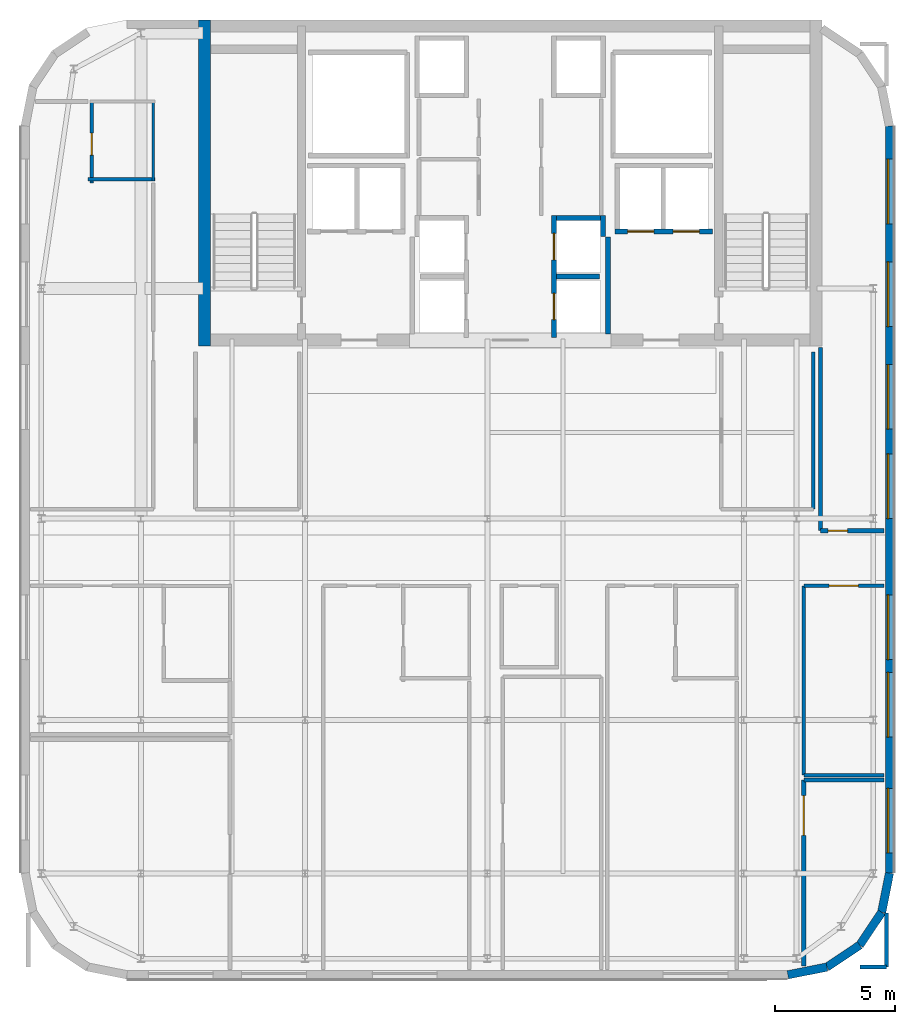
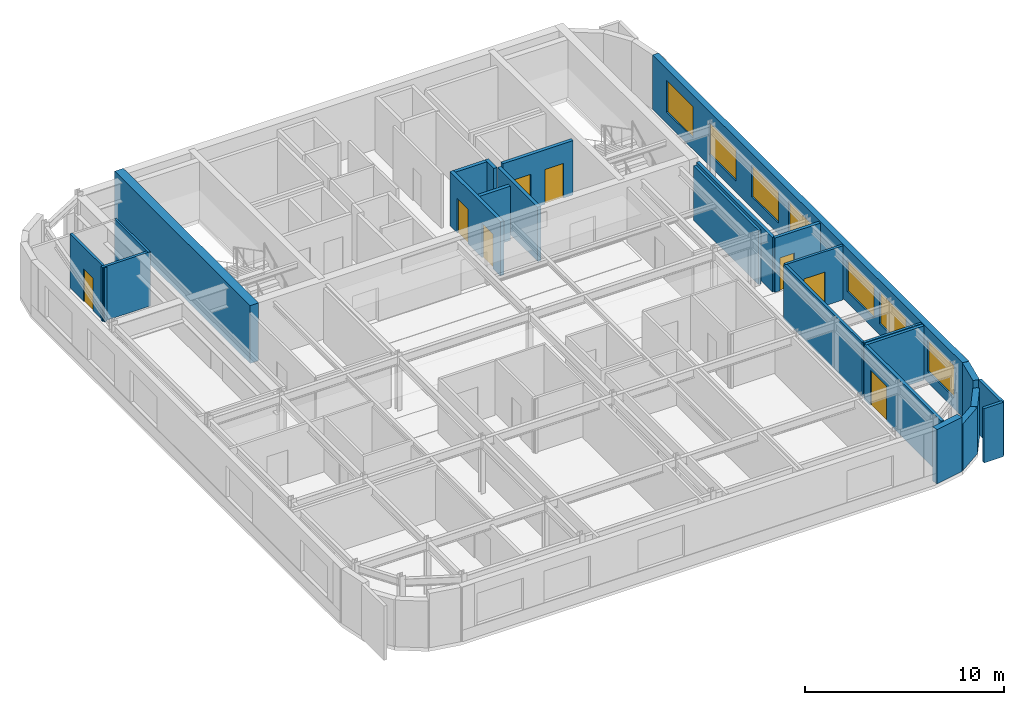
# One storey, part 8 of 15: 25 walls, 8 doors, 7 windows, 15 openings.
"""IFC4 building model written with IfcOpenShell, lengths in metres."""

from ifc_helpers import new_model, si_unit, direction, frame, frame_2d, origin, place, context, subcontext, project, spatial, rectangle, extrude, source, transform, mapped, material, layer, layer_set, type_object, type_shapes, element, fill, save


model = new_model("IFC4")

# Units and contexts
model_context = context("Model", 3, precision=1e-05, world=origin(), true_north=direction((0.0, 1.0)))
body_context = subcontext(model_context, "Body", "Model", "MODEL_VIEW")
ifc_project = project(units=[si_unit("LENGTHUNIT", "METRE"), si_unit("AREAUNIT", "SQUARE_METRE"), si_unit("VOLUMEUNIT", "CUBIC_METRE"), si_unit("PLANEANGLEUNIT", "RADIAN"), si_unit("MASSUNIT", "GRAM", prefix="KILO")], contexts=[model_context])

# Site, building, storey
site_placement = place(None, origin())
site = spatial("IfcSite", under=ifc_project, at=site_placement, CompositionType="ELEMENT")
building_placement = place(site_placement, origin())
building = spatial("IfcBuilding", under=site, at=building_placement, Name="Tolvann Quenvar Hotel", CompositionType="ELEMENT")
storey_placement = place(building_placement, frame((0.0, 0.0, 278.60009765625)))
storey = spatial("IfcBuildingStorey", under=building, at=storey_placement, Name="L74", CompositionType="ELEMENT", Elevation=278.60009765625)

# Walls
ifc_material_1 = material(Name="Concrete N50 (50 MPa)", Category="concrete")
ifc_layer_1 = layer(ifc_material_1, 0.5)
ifc_layer_set_1 = layer_set([ifc_layer_1], Name="Concrete N50 (50 MPa)")
wall_type_1 = type_object("IfcWallType", Name="WALL_CORE_500", PredefinedType="SHEAR", material=ifc_layer_set_1)
wall_1_placement = place(storey_placement, frame((10.25, 31.60009765625, 0.0), z_axis=(0.0, 0.0, 1.0), x_axis=(0.0, 1.0, 0.0)))
element("IfcWall", 1, at=wall_1_placement, inside=storey, type_object=wall_type_1, Name="Rear Core W Shear Wall (L74)", PredefinedType="SHEAR", context=body_context, shape_type="SweptSolid", body=[
    extrude(rectangle(XDim=13.599853515625, YDim=0.5, at=frame_2d((6.7998046875, 0.0))), origin(), (0.0, 0.0, 1.0), 3.5498046875),
])
ifc_material_2 = material(Name="Kiln-fired red and buff architectural clay brickwork and terracotta masonry", Category="masonry")
ifc_layer_2 = layer(ifc_material_2, 0.35009765625)
ifc_layer_set_2 = layer_set([ifc_layer_2], Name="Kiln-fired red and buff architectural clay brickwork and terracotta masonry")
wall_type_2 = type_object("IfcWallType", Name="WALL_EXT_BRICK_350", PredefinedType="SOLIDWALL", material=ifc_layer_set_2)
wall_2_placement = place(storey_placement, frame((34.582763671875, 5.375, 0.0), z_axis=(0.0, 0.0, 1.0), x_axis=(0.980794424524, 0.195044345786, 0.0)))
element("IfcWall", 2, at=wall_2_placement, inside=storey, type_object=wall_type_2, Name="Exterior Chicago Brick Wall L74-E05", PredefinedType="SOLIDWALL", context=body_context, shape_type="SweptSolid", body=[
    extrude(rectangle(XDim=1.664794921875, YDim=0.35009765625, at=frame_2d((0.83251953125, 0.0))), origin(), (0.0, 0.0, 1.0), 3.329833984375),
])
for number, where, z_axis, x_axis, name in (
    (3, (36.215576171875, 5.69970703125, 0.0), (0.0, 0.0, 1.0), (0.831434158098, 0.555623290322, 0.0), "Exterior Chicago Brick Wall L74-E06"),
    (4, (37.585205078125, 6.614990234375, 0.0), (0.0, 0.0, 1.0), (0.555520825599, 0.831502623162, 0.0), "Exterior Chicago Brick Wall L74-E07"),
):
    element("IfcWall", number, at=place(storey_placement, frame(where, z_axis=z_axis, x_axis=x_axis)), inside=storey, type_object=wall_type_2, Name=name, PredefinedType="SOLIDWALL", context=body_context, shape_type="SweptSolid", body=[
        extrude(rectangle(XDim=1.647216796875, YDim=0.35009765625, at=frame_2d((0.82373046875, 0.0))), origin(), (0.0, 0.0, 1.0), 2.85986328125),
    ])
wall_3_placement = place(storey_placement, frame((38.500244140625, 7.984619140625, 0.0), z_axis=(0.0, 0.0, 1.0), x_axis=(0.195072403631, 0.980788844421, 0.0)))
element("IfcWall", 5, at=wall_3_placement, inside=storey, type_object=wall_type_2, Name="Exterior Chicago Brick Wall L74-E08", PredefinedType="SOLIDWALL", context=body_context, shape_type="SweptSolid", body=[
    extrude(rectangle(XDim=1.66455078125, YDim=0.35009765625, at=frame_2d((0.832275390625, 0.0))), origin(), (0.0, 0.0, 1.0), 3.329833984375),
])

# Wall, openings, windows
wall_4_placement = place(storey_placement, frame((38.824951171875, 9.6171875, 0.0), z_axis=(0.0, 0.0, 1.0), x_axis=(0.0, 1.0, 0.0)))
wall_4 = element("IfcWall", 6, at=wall_4_placement, inside=storey, type_object=wall_type_2, Name="Exterior Chicago Brick Wall L74-E09", PredefinedType="SOLIDWALL", context=body_context, shape_type="SweptSolid", body=[
    extrude(rectangle(XDim=31.16552734375, YDim=0.35009765625, at=frame_2d((15.582763671875, 0.0))), origin(), (0.0, 0.0, 1.0), 3.329833984375),
])
opening_1_placement = place(wall_4_placement, frame((0.840087890625, 0.0, 0.679931640625)))
opening_1 = element("IfcOpeningElement", 7, at=opening_1_placement, cuts=wall_4, Name="Opening W-04", PredefinedType="OPENING", context=body_context, shape_type="SweptSolid", body=[
    extrude(rectangle(XDim=2.699951171875, YDim=1.949951171875, at=frame_2d((1.35009765625, 0.97509765625))), frame((0.0, 0.18505859375, 0.0), z_axis=(0.0, -1.0, 0.0), x_axis=(1.0, 0.0, 0.0)), (0.0, 0.0, 1.0), 0.3701171875),
])
opening_2_placement = place(wall_4_placement, frame((5.6708984375, 0.0, 0.679931640625)))
opening_2 = element("IfcOpeningElement", 8, at=opening_2_placement, cuts=wall_4, Name="Opening W-04", PredefinedType="OPENING", context=body_context, shape_type="SweptSolid", body=[
    extrude(rectangle(XDim=2.699951171875, YDim=1.949951171875, at=frame_2d((1.35009765625, 0.97509765625))), frame((0.0, 0.18505859375, 0.0), z_axis=(0.0, -1.0, 0.0), x_axis=(1.0, 0.0, 0.0)), (0.0, 0.0, 1.0), 0.3701171875),
])
opening_3_placement = place(wall_4_placement, frame((8.902099609375, 0.0, 0.679931640625)))
opening_3 = element("IfcOpeningElement", 9, at=opening_3_placement, cuts=wall_4, Name="Opening W-04", PredefinedType="OPENING", context=body_context, shape_type="SweptSolid", body=[
    extrude(rectangle(XDim=2.699951171875, YDim=1.949951171875, at=frame_2d((1.35009765625, 0.97509765625))), frame((0.0, 0.18505859375, 0.0), z_axis=(0.0, -1.0, 0.0), x_axis=(1.0, 0.0, 0.0)), (0.0, 0.0, 1.0), 0.3701171875),
])
opening_4_placement = place(wall_4_placement, frame((14.782958984375, 0.0, 0.679931640625)))
opening_4 = element("IfcOpeningElement", 10, at=opening_4_placement, cuts=wall_4, Name="Opening W-04", PredefinedType="OPENING", context=body_context, shape_type="SweptSolid", body=[
    extrude(rectangle(XDim=2.699951171875, YDim=1.949951171875, at=frame_2d((1.35009765625, 0.97509765625))), frame((0.0, 0.18505859375, 0.0), z_axis=(0.0, -1.0, 0.0), x_axis=(1.0, 0.0, 0.0)), (0.0, 0.0, 1.0), 0.3701171875),
])
opening_5_placement = place(wall_4_placement, frame((18.513916015625, 0.0, 0.679931640625)))
opening_5 = element("IfcOpeningElement", 11, at=opening_5_placement, cuts=wall_4, Name="Opening W-04", PredefinedType="OPENING", context=body_context, shape_type="SweptSolid", body=[
    extrude(rectangle(XDim=2.699951171875, YDim=1.949951171875, at=frame_2d((1.35009765625, 0.97509765625))), frame((0.0, 0.18505859375, 0.0), z_axis=(0.0, -1.0, 0.0), x_axis=(1.0, 0.0, 0.0)), (0.0, 0.0, 1.0), 0.3701171875),
])
opening_6_placement = place(wall_4_placement, frame((22.7939453125, 0.0, 0.679931640625)))
opening_6 = element("IfcOpeningElement", 12, at=opening_6_placement, cuts=wall_4, Name="Opening W-04", PredefinedType="OPENING", context=body_context, shape_type="SweptSolid", body=[
    extrude(rectangle(XDim=2.699951171875, YDim=1.949951171875, at=frame_2d((1.35009765625, 0.97509765625))), frame((0.0, 0.18505859375, 0.0), z_axis=(0.0, -1.0, 0.0), x_axis=(1.0, 0.0, 0.0)), (0.0, 0.0, 1.0), 0.3701171875),
])
opening_7_placement = place(wall_4_placement, frame((27.074951171875, 0.0, 0.679931640625)))
opening_7 = element("IfcOpeningElement", 13, at=opening_7_placement, cuts=wall_4, Name="Opening W-04", PredefinedType="OPENING", context=body_context, shape_type="SweptSolid", body=[
    extrude(rectangle(XDim=2.699951171875, YDim=1.949951171875, at=frame_2d((1.35009765625, 0.97509765625))), frame((0.0, 0.18505859375, 0.0), z_axis=(0.0, -1.0, 0.0), x_axis=(1.0, 0.0, 0.0)), (0.0, 0.0, 1.0), 0.3701171875),
])
ifc_material_3 = material(Name="Thermally broken bronze-anodised aluminium frame with double low-E glazing", Category="aluminium")
window_type = type_object("IfcWindowType", Name="WIN_STE_2700x2150", PartitioningType="TRIPLE_PANEL_HORIZONTAL", PredefinedType="WINDOW", material=ifc_material_3)
shared_shape_1 = source(origin(), body_context, "Body", "SweptSolid", [
    extrude(rectangle(XDim=2.699951171875, YDim=1.949951171875, at=frame_2d((1.35009765625, 0.97509765625))), frame((0.0, 0.090087890625, 0.0), z_axis=(0.0, -1.0, 0.0), x_axis=(1.0, 0.0, 0.0)), (0.0, 0.0, 1.0), 0.06005859375),
])
type_shapes(window_type, [shared_shape_1])
window_1_placement = place(opening_1_placement, origin())
window_1 = element("IfcWindow", 14, at=window_1_placement, inside=storey, type_object=window_type, Name="Chicago Window W-04 (EW-L74-E09-W01)", OverallHeight=1.949951171875, OverallWidth=2.699951171875, PartitioningType="TRIPLE_PANEL_HORIZONTAL", PredefinedType="WINDOW", context=body_context, shape_type="MappedRepresentation", body=[
    mapped(shared_shape_1, transform((0.0, 0.0, 0.0), x_axis=(1.0, 0.0, 0.0), y_axis=(0.0, 1.0, 0.0), z_axis=(0.0, 0.0, 1.0), scale=1.0)),
])
fill(opening_1, window_1)
window_2_placement = place(opening_2_placement, origin())
window_2 = element("IfcWindow", 15, at=window_2_placement, inside=storey, type_object=window_type, Name="Chicago Window W-04 (EW-L74-E09-W02)", OverallHeight=1.949951171875, OverallWidth=2.699951171875, PartitioningType="TRIPLE_PANEL_HORIZONTAL", PredefinedType="WINDOW", context=body_context, shape_type="MappedRepresentation", body=[
    mapped(shared_shape_1, transform((0.0, 0.0, 0.0), x_axis=(1.0, 0.0, 0.0), y_axis=(0.0, 1.0, 0.0), z_axis=(0.0, 0.0, 1.0), scale=1.0)),
])
fill(opening_2, window_2)
window_3_placement = place(opening_3_placement, origin())
window_3 = element("IfcWindow", 16, at=window_3_placement, inside=storey, type_object=window_type, Name="Chicago Window W-04 (EW-L74-E09-W03)", OverallHeight=1.949951171875, OverallWidth=2.699951171875, PartitioningType="TRIPLE_PANEL_HORIZONTAL", PredefinedType="WINDOW", context=body_context, shape_type="MappedRepresentation", body=[
    mapped(shared_shape_1, transform((0.0, 0.0, 0.0), x_axis=(1.0, 0.0, 0.0), y_axis=(0.0, 1.0, 0.0), z_axis=(0.0, 0.0, 1.0), scale=1.0)),
])
fill(opening_3, window_3)
window_4_placement = place(opening_4_placement, origin())
window_4 = element("IfcWindow", 17, at=window_4_placement, inside=storey, type_object=window_type, Name="Chicago Window W-04 (EW-L74-E09-W04)", OverallHeight=1.949951171875, OverallWidth=2.699951171875, PartitioningType="TRIPLE_PANEL_HORIZONTAL", PredefinedType="WINDOW", context=body_context, shape_type="MappedRepresentation", body=[
    mapped(shared_shape_1, transform((0.0, 0.0, 0.0), x_axis=(1.0, 0.0, 0.0), y_axis=(0.0, 1.0, 0.0), z_axis=(0.0, 0.0, 1.0), scale=1.0)),
])
fill(opening_4, window_4)
window_5_placement = place(opening_5_placement, origin())
window_5 = element("IfcWindow", 18, at=window_5_placement, inside=storey, type_object=window_type, Name="Chicago Window W-04 (EW-L74-E09-W05)", OverallHeight=1.949951171875, OverallWidth=2.699951171875, PartitioningType="TRIPLE_PANEL_HORIZONTAL", PredefinedType="WINDOW", context=body_context, shape_type="MappedRepresentation", body=[
    mapped(shared_shape_1, transform((0.0, 0.0, 0.0), x_axis=(1.0, 0.0, 0.0), y_axis=(0.0, 1.0, 0.0), z_axis=(0.0, 0.0, 1.0), scale=1.0)),
])
fill(opening_5, window_5)
window_6_placement = place(opening_6_placement, origin())
window_6 = element("IfcWindow", 19, at=window_6_placement, inside=storey, type_object=window_type, Name="Chicago Window W-04 (EW-L74-E09-W06)", OverallHeight=1.949951171875, OverallWidth=2.699951171875, PartitioningType="TRIPLE_PANEL_HORIZONTAL", PredefinedType="WINDOW", context=body_context, shape_type="MappedRepresentation", body=[
    mapped(shared_shape_1, transform((0.0, 0.0, 0.0), x_axis=(1.0, 0.0, 0.0), y_axis=(0.0, 1.0, 0.0), z_axis=(0.0, 0.0, 1.0), scale=1.0)),
])
fill(opening_6, window_6)
window_7_placement = place(opening_7_placement, origin())
window_7 = element("IfcWindow", 20, at=window_7_placement, inside=storey, type_object=window_type, Name="Chicago Window W-04 (EW-L74-E09-W07)", OverallHeight=1.949951171875, OverallWidth=2.699951171875, PartitioningType="TRIPLE_PANEL_HORIZONTAL", PredefinedType="WINDOW", context=body_context, shape_type="MappedRepresentation", body=[
    mapped(shared_shape_1, transform((0.0, 0.0, 0.0), x_axis=(1.0, 0.0, 0.0), y_axis=(0.0, 1.0, 0.0), z_axis=(0.0, 0.0, 1.0), scale=1.0)),
])
fill(opening_7, window_7)

# Walls
ifc_material_4 = material(Name="Acoustic twin-stud fire-rated gypsum plasterboard partition")
ifc_layer_3 = layer(ifc_material_4, 0.179931640625)
ifc_layer_set_3 = layer_set([ifc_layer_3], Name="Acoustic twin-stud fire-rated gypsum plasterboard partition")
wall_type_3 = type_object("IfcWallType", Name="WALL_PART_ACOUSTIC_180", PredefinedType="PARTITIONING", material=ifc_layer_set_3)
wall_5_placement = place(storey_placement, frame((37.5849609375, 5.699951171875, 0.0), z_axis=(0.0, 0.0, 1.0), x_axis=(1.0, 0.0, 0.0)))
element("IfcWall", 21, at=wall_5_placement, inside=storey, type_object=wall_type_3, Name="Interior Partition PT-SPC-L74-PSE-STD-S", PredefinedType="PARTITIONING", context=body_context, shape_type="SweptSolid", body=[
    extrude(rectangle(XDim=1.114990234375, YDim=0.179931640625, at=frame_2d((0.5576171875, 0.0))), origin(), (0.0, 0.0, 1.0), 3.329833984375),
])
wall_6_placement = place(storey_placement, frame((35.25, 13.5, 0.0), z_axis=(0.0, 0.0, 1.0), x_axis=(1.0, 0.0, 0.0)))
element("IfcWall", 22, at=wall_6_placement, inside=storey, type_object=wall_type_3, Name="Interior Partition PT-SPC-L74-PSE-STD-N", PredefinedType="PARTITIONING", context=body_context, shape_type="SweptSolid", body=[
    extrude(rectangle(XDim=3.344970703125, YDim=0.179931640625, at=frame_2d((1.67236328125, 0.0))), origin(), (0.0, 0.0, 1.0), 3.329833984375),
])

# Wall, opening, door
wall_7_placement = place(storey_placement, frame((35.25, 5.741943359375, 0.0), z_axis=(0.0, 0.0, 1.0), x_axis=(0.0, 1.0, 0.0)))
wall_7 = element("IfcWall", 23, at=wall_7_placement, inside=storey, type_object=wall_type_3, Name="Interior Partition PT-SPC-L74-PSE-STD-W", PredefinedType="PARTITIONING", context=body_context, shape_type="SweptSolid", body=[
    extrude(rectangle(XDim=7.758056640625, YDim=0.179931640625, at=frame_2d((3.87890625, 0.0))), origin(), (0.0, 0.0, 1.0), 3.329833984375),
])
opening_8_placement = place(wall_7_placement, frame((5.4541015625, 0.0, 0.0)))
opening_8 = element("IfcOpeningElement", 24, at=opening_8_placement, cuts=wall_7, Name="Opening AD-01", PredefinedType="OPENING", context=body_context, shape_type="SweptSolid", body=[
    extrude(rectangle(XDim=1.64990234375, YDim=2.14990234375, at=frame_2d((0.824951171875, 1.074951171875))), frame((0.0, 0.10009765625, 0.0), z_axis=(0.0, -1.0, 0.0), x_axis=(1.0, 0.0, 0.0)), (0.0, 0.0, 1.0), 0.199951171875),
])
ifc_material_5 = material(Name="Solid-core American oak acoustic fire door leaf in steel frame", Category="steel")
door_type_1 = type_object("IfcDoorType", Name="DOOR_SALON_1650", OperationType="NOTDEFINED", PredefinedType="DOOR", material=ifc_material_5)
shared_shape_2 = source(origin(), body_context, "Body", "SweptSolid", [
    extrude(rectangle(XDim=1.64990234375, YDim=2.14990234375, at=frame_2d((0.824951171875, 1.074951171875))), frame((0.0, 0.02490234375, 0.0), z_axis=(0.0, -1.0, 0.0), x_axis=(1.0, 0.0, 0.0)), (0.0, 0.0, 1.0), 0.050048828125),
])
type_shapes(door_type_1, [shared_shape_2])
door_1_placement = place(opening_8_placement, origin())
door_1 = element("IfcDoor", 25, at=door_1_placement, inside=storey, type_object=door_type_1, Name="Interior Door DOOR-SPC-L74-PSE-STD", OperationType="DOUBLE_DOOR_SINGLE_SWING", OverallHeight=2.14990234375, OverallWidth=1.64990234375, PredefinedType="DOOR", context=body_context, shape_type="MappedRepresentation", body=[
    mapped(shared_shape_2, transform((0.0, 0.0, 0.0), x_axis=(1.0, 0.0, 0.0), y_axis=(0.0, 1.0, 0.0), z_axis=(0.0, 0.0, 1.0), scale=1.0)),
])
fill(opening_8, door_1)

# Wall
wall_8_placement = place(storey_placement, frame((38.699951171875, 5.699951171875, 0.0), z_axis=(0.0, 0.0, 1.0), x_axis=(0.0, 1.0, 0.0)))
element("IfcWall", 26, at=wall_8_placement, inside=storey, type_object=wall_type_3, Name="Interior Partition PT-SPC-L74-PSE-STD-E", PredefinedType="PARTITIONING", context=body_context, shape_type="SweptSolid", body=[
    extrude(rectangle(XDim=2.2451171875, YDim=0.179931640625, at=frame_2d((1.12255859375, 0.0))), origin(), (0.0, 0.0, 1.0), 3.329833984375),
])

# Wall, opening, door
wall_9_placement = place(storey_placement, frame((35.949951171875, 23.89990234375, 0.0), z_axis=(0.0, 0.0, 1.0), x_axis=(1.0, 0.0, 0.0)))
wall_9 = element("IfcWall", 27, at=wall_9_placement, inside=storey, type_object=wall_type_3, Name="Interior Partition PT-SPC-L74-LNGE-S", PredefinedType="PARTITIONING", context=body_context, shape_type="SweptSolid", body=[
    extrude(rectangle(XDim=2.64501953125, YDim=0.179931640625, at=frame_2d((1.322509765625, 0.0))), origin(), (0.0, 0.0, 1.0), 3.329833984375),
])
opening_9_placement = place(wall_9_placement, frame((0.3125, 0.0, 0.0)))
opening_9 = element("IfcOpeningElement", 28, at=opening_9_placement, cuts=wall_9, Name="Opening HD-02", PredefinedType="OPENING", context=body_context, shape_type="SweptSolid", body=[
    extrude(rectangle(XDim=0.820068359375, YDim=2.010009765625, at=frame_2d((0.41015625, 1.0048828125))), frame((0.0, 0.10009765625, 0.0), z_axis=(0.0, -1.0, 0.0), x_axis=(1.0, 0.0, 0.0)), (0.0, 0.0, 1.0), 0.199951171875),
])
ifc_material_6 = material(Name="Pressed galvanised steel fire-rated door set", Category="steel")
door_type_2 = type_object("IfcDoorType", Name="DOOR_STORE_820", OperationType="NOTDEFINED", PredefinedType="DOOR", material=ifc_material_6)
shared_shape_3 = source(origin(), body_context, "Body", "SweptSolid", [
    extrude(rectangle(XDim=0.820068359375, YDim=2.010009765625, at=frame_2d((0.41015625, 1.0048828125))), frame((0.0, 0.02490234375, 0.0), z_axis=(0.0, -1.0, 0.0), x_axis=(1.0, 0.0, 0.0)), (0.0, 0.0, 1.0), 0.050048828125),
])
type_shapes(door_type_2, [shared_shape_3])
door_2_placement = place(opening_9_placement, origin())
door_2 = element("IfcDoor", 29, at=door_2_placement, inside=storey, type_object=door_type_2, Name="Interior Door DOOR-SPC-L74-LNGE", OperationType="SINGLE_SWING_RIGHT", OverallHeight=2.010009765625, OverallWidth=0.820068359375, PredefinedType="DOOR", context=body_context, shape_type="MappedRepresentation", body=[
    mapped(shared_shape_3, transform((0.0, 0.0, 0.0), x_axis=(1.0, 0.0, 0.0), y_axis=(0.0, 1.0, 0.0), z_axis=(0.0, 0.0, 1.0), scale=1.0)),
])
fill(opening_9, door_2)

# Walls
wall_10_placement = place(storey_placement, frame((35.949951171875, 23.89990234375, 0.0), z_axis=(0.0, 0.0, 1.0), x_axis=(0.0, 1.0, 0.0)))
element("IfcWall", 30, at=wall_10_placement, inside=storey, type_object=wall_type_3, Name="Interior Partition PT-SPC-L74-LNGE-W", PredefinedType="PARTITIONING", context=body_context, shape_type="SweptSolid", body=[
    extrude(rectangle(XDim=7.64501953125, YDim=0.179931640625, at=frame_2d((3.822509765625, 0.0))), origin(), (0.0, 0.0, 1.0), 3.329833984375),
])
ifc_material_7 = material(Name="Moisture-resistant acoustic plumbing wall assembly")
ifc_layer_4 = layer(ifc_material_7, 0.1201171875)
ifc_layer_set_4 = layer_set([ifc_layer_4], Name="Moisture-resistant acoustic plumbing wall assembly")
wall_type_4 = type_object("IfcWallType", Name="WALL_PART_BATH_120", PredefinedType="PLUMBINGWALL", material=ifc_layer_set_4)
wall_11_placement = place(storey_placement, frame((8.1201171875, 38.47998046875, 0.0), z_axis=(0.0, 0.0, 1.0), x_axis=(0.0, 1.0, 0.0)))
element("IfcWall", 31, at=wall_11_placement, inside=storey, type_object=wall_type_4, Name="Non-Rated Plumbing Partition PT-SPC-L74-NW-ENS-E", PredefinedType="PLUMBINGWALL", context=body_context, shape_type="SweptSolid", body=[
    extrude(rectangle(XDim=3.39013671875, YDim=0.1201171875, at=frame_2d((1.695068359375, 0.0))), origin(), (0.0, 0.0, 1.0), 3.329833984375),
])

# Wall, opening, door
ifc_layer_5 = layer(ifc_material_4, 0.14990234375)
ifc_layer_set_5 = layer_set([ifc_layer_5], Name="Acoustic twin-stud fire-rated gypsum plasterboard partition")
wall_type_5 = type_object("IfcWallType", Name="WALL_PART_SUITE_150", PredefinedType="PARTITIONING", material=ifc_layer_set_5)
wall_12_placement = place(storey_placement, frame((5.550048828125, 38.39990234375, 0.0), z_axis=(0.0, 0.0, 1.0), x_axis=(0.0, 1.0, 0.0)))
wall_12 = element("IfcWall", 32, at=wall_12_placement, inside=storey, type_object=wall_type_5, Name="Interior Partition PT-SPC-L74-NW-ENS-ENT", PredefinedType="PARTITIONING", context=body_context, shape_type="SweptSolid", body=[
    extrude(rectangle(XDim=3.47021484375, YDim=0.14990234375, at=frame_2d((1.735107421875, 0.0))), origin(), (0.0, 0.0, 1.0), 3.329833984375),
])
opening_10_placement = place(wall_12_placement, frame((1.1650390625, 0.0, 0.0)))
opening_10 = element("IfcOpeningElement", 33, at=opening_10_placement, cuts=wall_12, Name="Opening WD-01", PredefinedType="OPENING", context=body_context, shape_type="SweptSolid", body=[
    extrude(rectangle(XDim=0.919921875, YDim=2.010009765625, at=frame_2d((0.4599609375, 1.0048828125))), frame((0.0, 0.0849609375, 0.0), z_axis=(0.0, -1.0, 0.0), x_axis=(1.0, 0.0, 0.0)), (0.0, 0.0, 1.0), 0.169921875),
])
door_type_3 = type_object("IfcDoorType", Name="DOOR_WC_920", OperationType="NOTDEFINED", PredefinedType="DOOR", material=ifc_material_5)
shared_shape_4 = source(origin(), body_context, "Body", "SweptSolid", [
    extrude(rectangle(XDim=0.919921875, YDim=2.010009765625, at=frame_2d((0.4599609375, 1.0048828125))), frame((0.0, 0.02490234375, 0.0), z_axis=(0.0, -1.0, 0.0), x_axis=(1.0, 0.0, 0.0)), (0.0, 0.0, 1.0), 0.050048828125),
])
type_shapes(door_type_3, [shared_shape_4])
door_3_placement = place(opening_10_placement, origin())
door_3 = element("IfcDoor", 34, at=door_3_placement, inside=storey, type_object=door_type_3, Name="Interior Door DOOR-SPC-L74-NW-ENS", OperationType="SINGLE_SWING_RIGHT", OverallHeight=2.010009765625, OverallWidth=0.919921875, PredefinedType="DOOR", context=body_context, shape_type="MappedRepresentation", body=[
    mapped(shared_shape_4, transform((0.0, 0.0, 0.0), x_axis=(1.0, 0.0, 0.0), y_axis=(0.0, 1.0, 0.0), z_axis=(0.0, 0.0, 1.0), scale=1.0)),
])
fill(opening_10, door_3)

# Walls
wall_13_placement = place(storey_placement, frame((5.39990234375, 38.550048828125, 0.0), z_axis=(0.0, 0.0, 1.0), x_axis=(1.0, 0.0, 0.0)))
element("IfcWall", 35, at=wall_13_placement, inside=storey, type_object=wall_type_5, Name="Interior Partition PT-SPC-L74-NW-ENS-S", PredefinedType="PARTITIONING", context=body_context, shape_type="SweptSolid", body=[
    extrude(rectangle(XDim=2.7900390625, YDim=0.14990234375, at=frame_2d((1.39501953125, 0.0))), origin(), (0.0, 0.0, 1.0), 3.329833984375),
])
wall_14_placement = place(storey_placement, frame((35.25, 13.699951171875, 0.0), z_axis=(0.0, 0.0, 1.0), x_axis=(1.0, 0.0, 0.0)))
element("IfcWall", 36, at=wall_14_placement, inside=storey, type_object=wall_type_5, Name="Interior Partition PT-SPC-L74-PSE-DRS-S", PredefinedType="PARTITIONING", context=body_context, shape_type="SweptSolid", body=[
    extrude(rectangle(XDim=3.344970703125, YDim=0.14990234375, at=frame_2d((1.67236328125, 0.0))), origin(), (0.0, 0.0, 1.0), 3.329833984375),
])

# Wall, opening, door
wall_15_placement = place(storey_placement, frame((35.25, 21.60009765625, 0.0), z_axis=(0.0, 0.0, 1.0), x_axis=(1.0, 0.0, 0.0)))
wall_15 = element("IfcWall", 37, at=wall_15_placement, inside=storey, type_object=wall_type_5, Name="Interior Partition PT-SPC-L74-PSE-DRS-N", PredefinedType="PARTITIONING", context=body_context, shape_type="SweptSolid", body=[
    extrude(rectangle(XDim=3.344970703125, YDim=0.14990234375, at=frame_2d((1.67236328125, 0.0))), origin(), (0.0, 0.0, 1.0), 3.329833984375),
])
opening_11_placement = place(wall_15_placement, frame((1.0625, 0.0, 0.0)))
opening_11 = element("IfcOpeningElement", 38, at=opening_11_placement, cuts=wall_15, Name="Opening SD-02", PredefinedType="OPENING", context=body_context, shape_type="SweptSolid", body=[
    extrude(rectangle(XDim=1.219970703125, YDim=2.080078125, at=frame_2d((0.60986328125, 1.0400390625))), frame((0.0, 0.0849609375, 0.0), z_axis=(0.0, -1.0, 0.0), x_axis=(1.0, 0.0, 0.0)), (0.0, 0.0, 1.0), 0.169921875),
])
door_type_4 = type_object("IfcDoorType", Name="DOOR_VIP_1220", OperationType="NOTDEFINED", PredefinedType="DOOR", material=ifc_material_5)
shared_shape_5 = source(origin(), body_context, "Body", "SweptSolid", [
    extrude(rectangle(XDim=1.219970703125, YDim=2.080078125, at=frame_2d((0.60986328125, 1.0400390625))), frame((0.0, 0.02490234375, 0.0), z_axis=(0.0, -1.0, 0.0), x_axis=(1.0, 0.0, 0.0)), (0.0, 0.0, 1.0), 0.050048828125),
])
type_shapes(door_type_4, [shared_shape_5])
door_4_placement = place(opening_11_placement, origin())
door_4 = element("IfcDoor", 39, at=door_4_placement, inside=storey, type_object=door_type_4, Name="Interior Door DOOR-SPC-L74-PSE-DRS", OperationType="SINGLE_SWING_LEFT", OverallHeight=2.080078125, OverallWidth=1.219970703125, PredefinedType="DOOR", context=body_context, shape_type="MappedRepresentation", body=[
    mapped(shared_shape_5, transform((0.0, 0.0, 0.0), x_axis=(1.0, 0.0, 0.0), y_axis=(0.0, 1.0, 0.0), z_axis=(0.0, 0.0, 1.0), scale=1.0)),
])
fill(opening_11, door_4)

# Walls
wall_16_placement = place(storey_placement, frame((35.25, 13.699951171875, 0.0), z_axis=(0.0, 0.0, 1.0), x_axis=(0.0, 1.0, 0.0)))
element("IfcWall", 40, at=wall_16_placement, inside=storey, type_object=wall_type_5, Name="Interior Partition PT-SPC-L74-PSE-DRS-W", PredefinedType="PARTITIONING", context=body_context, shape_type="SweptSolid", body=[
    extrude(rectangle(XDim=7.900146484375, YDim=0.14990234375, at=frame_2d((3.9501953125, 0.0))), origin(), (0.0, 0.0, 1.0), 3.329833984375),
])
wall_17_placement = place(storey_placement, frame((35.64990234375, 24.800048828125, 0.0), z_axis=(0.0, 0.0, 1.0), x_axis=(0.0, 1.0, 0.0)))
element("IfcWall", 41, at=wall_17_placement, inside=storey, type_object=wall_type_5, Name="Interior Partition PT-SPC-L74-HSK-E", PredefinedType="PARTITIONING", context=body_context, shape_type="SweptSolid", body=[
    extrude(rectangle(XDim=6.550048828125, YDim=0.14990234375, at=frame_2d((3.27490234375, 0.0))), origin(), (0.0, 0.0, 1.0), 3.329833984375),
])
ifc_material_8 = material(Name="Concrete N40 (40 MPa)", Category="concrete")
ifc_layer_6 = layer(ifc_material_8, 0.199951171875)
ifc_layer_set_6 = layer_set([ifc_layer_6], Name="Concrete N40 (40 MPa)")
wall_type_6 = type_object("IfcWallType", Name="WALL_SHAFT_200", PredefinedType="SOLIDWALL", material=ifc_layer_set_6)
wall_18_placement = place(storey_placement, frame((27.080078125, 32.10400390625, 0.0), z_axis=(0.0, 0.0, 1.0), x_axis=(0.0, 1.0, 0.0)))
element("IfcWall", 42, at=wall_18_placement, inside=storey, type_object=wall_type_6, Name="Firefighting Lobby E Inner Fire Wall (L74)", PredefinedType="SOLIDWALL", context=body_context, shape_type="SweptSolid", body=[
    extrude(rectangle(XDim=4.0458984375, YDim=0.199951171875, at=frame_2d((2.02294921875, 0.0))), origin(), (0.0, 0.0, 1.0), 3.329833984375),
])

# Wall, openings, doors
wall_19_placement = place(storey_placement, frame((27.375, 36.3798828125, 0.0), z_axis=(0.0, 0.0, 1.0), x_axis=(1.0, 0.0, 0.0)))
wall_19 = element("IfcWall", 43, at=wall_19_placement, inside=storey, type_object=wall_type_6, Name="Lift Bank SEC1 Hoistway Front Wall (L74)", PredefinedType="SOLIDWALL", context=body_context, shape_type="SweptSolid", body=[
    extrude(rectangle(XDim=4.074951171875, YDim=0.199951171875, at=frame_2d((2.03759765625, 0.0))), origin(), (0.0, 0.0, 1.0), 3.329833984375),
])
opening_12_placement = place(wall_19_placement, frame((0.52490234375, 0.0, 0.0)))
opening_12 = element("IfcOpeningElement", 44, at=opening_12_placement, cuts=wall_19, Name="Opening LD-01", PredefinedType="OPENING", context=body_context, shape_type="SweptSolid", body=[
    extrude(rectangle(XDim=1.10009765625, YDim=2.1201171875, at=frame_2d((0.550048828125, 1.06005859375))), frame((0.0, 0.10986328125, 0.0), z_axis=(0.0, -1.0, 0.0), x_axis=(1.0, 0.0, 0.0)), (0.0, 0.0, 1.0), 0.219970703125),
])
opening_13_placement = place(wall_19_placement, frame((2.425048828125, 0.0, 0.0)))
opening_13 = element("IfcOpeningElement", 45, at=opening_13_placement, cuts=wall_19, Name="Opening LD-01", PredefinedType="OPENING", context=body_context, shape_type="SweptSolid", body=[
    extrude(rectangle(XDim=1.10009765625, YDim=2.1201171875, at=frame_2d((0.550048828125, 1.06005859375))), frame((0.0, 0.10986328125, 0.0), z_axis=(0.0, -1.0, 0.0), x_axis=(1.0, 0.0, 0.0)), (0.0, 0.0, 1.0), 0.219970703125),
])
ifc_material_9 = material(Name="Brushed 316 stainless steel automatic sliding lift landing door", Category="steel")
door_type_5 = type_object("IfcDoorType", Name="DOOR_LIFT_SLIDE_1100", OperationType="NOTDEFINED", PredefinedType="DOOR", material=ifc_material_9)
shared_shape_6 = source(origin(), body_context, "Body", "SweptSolid", [
    extrude(rectangle(XDim=1.10009765625, YDim=2.1201171875, at=frame_2d((0.550048828125, 1.06005859375))), frame((0.0, 0.02490234375, 0.0), z_axis=(0.0, -1.0, 0.0), x_axis=(1.0, 0.0, 0.0)), (0.0, 0.0, 1.0), 0.050048828125),
])
type_shapes(door_type_5, [shared_shape_6])
door_5_placement = place(opening_12_placement, origin())
door_5 = element("IfcDoor", 46, at=door_5_placement, inside=storey, type_object=door_type_5, Name="Lift SV-2 Sliding Landing Door (L74)", OperationType="SLIDING_TO_LEFT", OverallHeight=2.1201171875, OverallWidth=1.10009765625, PredefinedType="DOOR", context=body_context, shape_type="MappedRepresentation", body=[
    mapped(shared_shape_6, transform((0.0, 0.0, 0.0), x_axis=(1.0, 0.0, 0.0), y_axis=(0.0, 1.0, 0.0), z_axis=(0.0, 0.0, 1.0), scale=1.0)),
])
fill(opening_12, door_5)
door_6_placement = place(opening_13_placement, origin())
door_6 = element("IfcDoor", 47, at=door_6_placement, inside=storey, type_object=door_type_5, Name="Lift FF-2 Sliding Landing Door (L74)", OperationType="SLIDING_TO_RIGHT", OverallHeight=2.1201171875, OverallWidth=1.10009765625, PredefinedType="DOOR", context=body_context, shape_type="MappedRepresentation", body=[
    mapped(shared_shape_6, transform((0.0, 0.0, 0.0), x_axis=(1.0, 0.0, 0.0), y_axis=(0.0, 1.0, 0.0), z_axis=(0.0, 0.0, 1.0), scale=1.0)),
])
fill(opening_13, door_6)

wall_20_placement = place(storey_placement, frame((24.830078125, 31.9599609375, 0.0), z_axis=(0.0, 0.0, 1.0), x_axis=(0.0, 1.0, 0.0)))
wall_20 = element("IfcWall", 48, at=wall_20_placement, inside=storey, type_object=wall_type_6, Name="Lift Bank W24.9C1 Hoistway Front Wall (L74)", PredefinedType="SOLIDWALL", context=body_context, shape_type="SweptSolid", body=[
    extrude(rectangle(XDim=5.080078125, YDim=0.199951171875, at=frame_2d((2.5400390625, 0.0))), origin(), (0.0, 0.0, 1.0), 3.329833984375),
])
opening_14_placement = place(wall_20_placement, frame((0.739990234375, 0.0, 0.0)))
opening_14 = element("IfcOpeningElement", 49, at=opening_14_placement, cuts=wall_20, Name="Opening LD-01", PredefinedType="OPENING", context=body_context, shape_type="SweptSolid", body=[
    extrude(rectangle(XDim=1.10009765625, YDim=2.1201171875, at=frame_2d((0.550048828125, 1.06005859375))), frame((0.0, 0.10986328125, 0.0), z_axis=(0.0, -1.0, 0.0), x_axis=(1.0, 0.0, 0.0)), (0.0, 0.0, 1.0), 0.219970703125),
])
opening_15_placement = place(wall_20_placement, frame((3.239990234375, 0.0, 0.0)))
opening_15 = element("IfcOpeningElement", 50, at=opening_15_placement, cuts=wall_20, Name="Opening LD-01", PredefinedType="OPENING", context=body_context, shape_type="SweptSolid", body=[
    extrude(rectangle(XDim=1.10009765625, YDim=2.1201171875, at=frame_2d((0.550048828125, 1.06005859375))), frame((0.0, 0.10986328125, 0.0), z_axis=(0.0, -1.0, 0.0), x_axis=(1.0, 0.0, 0.0)), (0.0, 0.0, 1.0), 0.219970703125),
])
door_7_placement = place(opening_14_placement, origin())
door_7 = element("IfcDoor", 51, at=door_7_placement, inside=storey, type_object=door_type_5, Name="Lift PH-3 Sliding Landing Door (L74)", OperationType="SLIDING_TO_LEFT", OverallHeight=2.1201171875, OverallWidth=1.10009765625, PredefinedType="DOOR", context=body_context, shape_type="MappedRepresentation", body=[
    mapped(shared_shape_6, transform((0.0, 0.0, 0.0), x_axis=(1.0, 0.0, 0.0), y_axis=(0.0, 1.0, 0.0), z_axis=(0.0, 0.0, 1.0), scale=1.0)),
])
fill(opening_14, door_7)
door_8_placement = place(opening_15_placement, origin())
door_8 = element("IfcDoor", 52, at=door_8_placement, inside=storey, type_object=door_type_5, Name="Lift PH-4 Sliding Landing Door (L74)", OperationType="SLIDING_TO_RIGHT", OverallHeight=2.1201171875, OverallWidth=1.10009765625, PredefinedType="DOOR", context=body_context, shape_type="MappedRepresentation", body=[
    mapped(shared_shape_6, transform((0.0, 0.0, 0.0), x_axis=(1.0, 0.0, 0.0), y_axis=(0.0, 1.0, 0.0), z_axis=(0.0, 0.0, 1.0), scale=1.0)),
])
fill(opening_15, door_8)

# Walls
wall_21_placement = place(storey_placement, frame((26.8701171875, 36.159912109375, 0.0), z_axis=(0.0, 0.0, 1.0), x_axis=(0.0, 1.0, 0.0)))
element("IfcWall", 53, at=wall_21_placement, inside=storey, type_object=wall_type_6, Name="Lift Bank W24.9C1 Hoistway Rear Wall (L74)", PredefinedType="SOLIDWALL", context=body_context, shape_type="SweptSolid", body=[
    extrude(rectangle(XDim=0.880126953125, YDim=0.199951171875, at=frame_2d((0.43994140625, 0.0))), origin(), (0.0, 0.0, 1.0), 3.329833984375),
])
wall_22_placement = place(storey_placement, frame((24.929931640625, 36.93994140625, 0.0), z_axis=(0.0, 0.0, 1.0), x_axis=(1.0, 0.0, 0.0)))
element("IfcWall", 54, at=wall_22_placement, inside=storey, type_object=wall_type_6, Name="Lift Bank W24.9C1 Hoistway Cheek Wall 2 (L74)", PredefinedType="SOLIDWALL", context=body_context, shape_type="SweptSolid", body=[
    extrude(rectangle(XDim=1.840087890625, YDim=0.199951171875, at=frame_2d((0.919921875, 0.0))), origin(), (0.0, 0.0, 1.0), 3.329833984375),
])
wall_23_placement = place(storey_placement, frame((24.929931640625, 34.5, 0.0), z_axis=(0.0, 0.0, 1.0), x_axis=(1.0, 0.0, 0.0)))
element("IfcWall", 55, at=wall_23_placement, inside=storey, type_object=wall_type_6, Name="Lift Bank W24.9C1 Divider Wall 1 (L74)", PredefinedType="SOLIDWALL", context=body_context, shape_type="SweptSolid", body=[
    extrude(rectangle(XDim=1.800048828125, YDim=0.199951171875, at=frame_2d((0.89990234375, 0.0))), origin(), (0.0, 0.0, 1.0), 3.329833984375),
])

save(model, "model.ifc")
